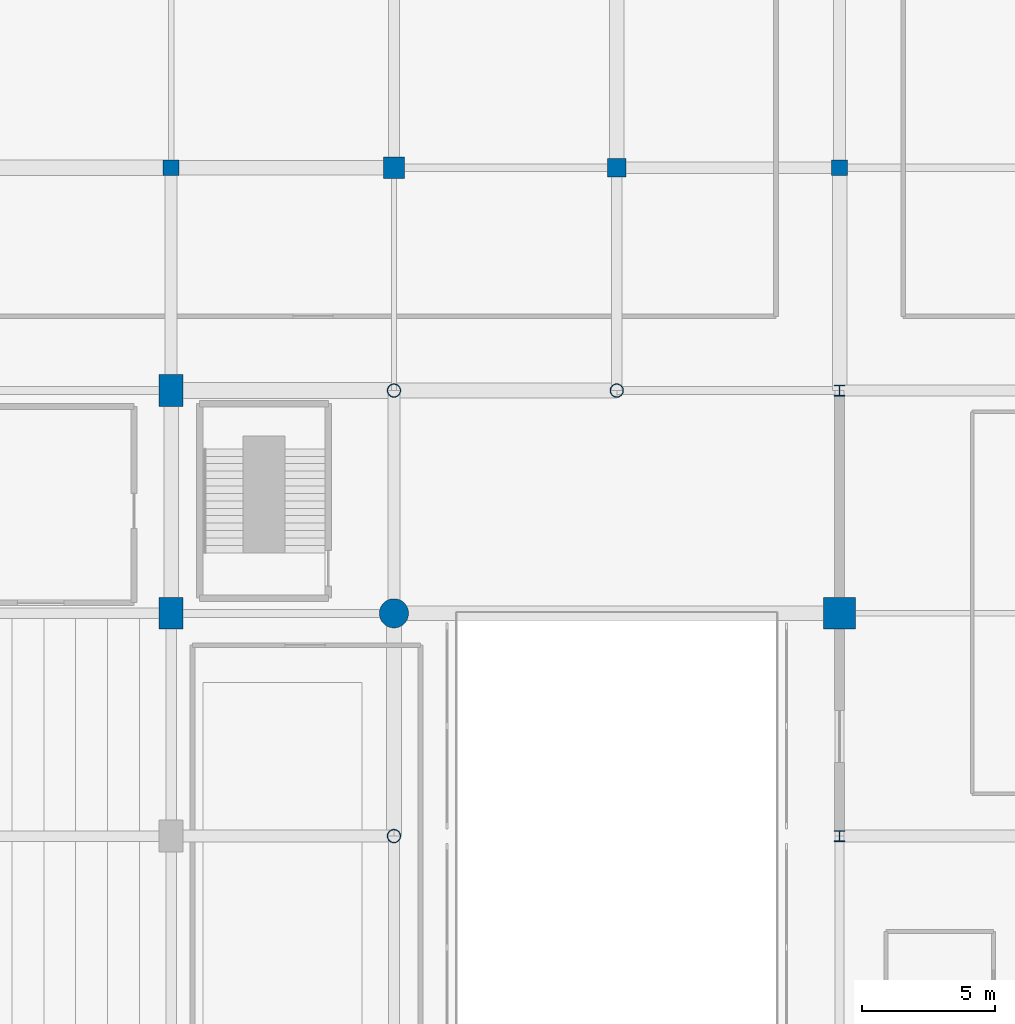
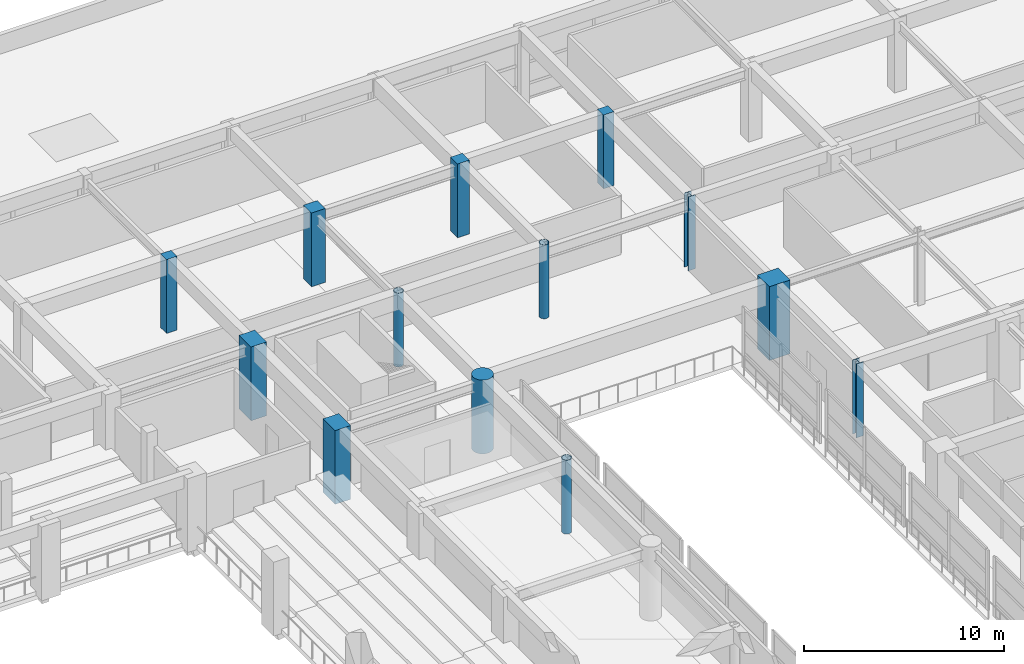
# One storey, part 4 of 60: 13 columns.
"""IFC4 building model written with IfcOpenShell, lengths in metres."""

from ifc_helpers import new_model, si_unit, direction, frame, origin, origin_2d, place, context, subcontext, project, spatial, rectangle, circle, hollow_circle, i_section, extrude, material, material_profile, profile_set, type_object, element, save


model = new_model("IFC4")

# Units and contexts
model_context = context("Model", 3, precision=1e-05, world=origin(), true_north=direction((0.0, 1.0)))
body_context = subcontext(model_context, "Body", "Model", "MODEL_VIEW")
ifc_project = project(units=[si_unit("LENGTHUNIT", "METRE"), si_unit("AREAUNIT", "SQUARE_METRE"), si_unit("VOLUMEUNIT", "CUBIC_METRE"), si_unit("PLANEANGLEUNIT", "RADIAN"), si_unit("MASSUNIT", "GRAM", prefix="KILO")], contexts=[model_context])

# Site, building, storey
site_placement = place(None, origin())
site = spatial("IfcSite", under=ifc_project, at=site_placement, CompositionType="ELEMENT")
building_placement = place(site_placement, origin())
building = spatial("IfcBuilding", under=site, at=building_placement, Name="Xuanlan Plaza Opera House", CompositionType="ELEMENT")
storey_placement = place(building_placement, frame((0.0, 0.0, 9.89990234375)))
storey = spatial("IfcBuildingStorey", under=building, at=storey_placement, Name="L02", CompositionType="ELEMENT", Elevation=9.89990234375)

# Columns
ifc_material_1 = material(Name="Concrete C60", Category="concrete")
ifc_material_profile_1 = material_profile(ifc_material_1, rectangle(XDim=1.199951171875, YDim=1.199951171875, at=origin_2d()), Name="RC-COL 1200x1200")
ifc_profile_set_1 = profile_set([ifc_material_profile_1], Name="Concrete C60")
column_type_1 = type_object("IfcColumnType", Name="STR-COL-C-02", PredefinedType="COLUMN", material=ifc_profile_set_1)
column_1_placement = place(storey_placement, frame((126.0, 75.60009765625, 0.0), z_axis=(0.0, 0.0, 1.0), x_axis=(1.0, 0.0, 0.0)))
element("IfcColumn", 1, at=column_1_placement, inside=storey, type_object=column_type_1, Name="Column L02 16-J", PredefinedType="COLUMN", context=body_context, shape_type="SweptSolid", body=[
    extrude(rectangle(XDim=1.199951171875, YDim=1.199951171875, at=origin_2d()), origin(), (0.0, 0.0, 1.0), 4.5),
])
ifc_material_2 = material(Name="Concrete C40", Category="concrete")
ifc_material_profile_2 = material_profile(ifc_material_2, rectangle(XDim=0.800048828125, YDim=0.800048828125, at=origin_2d()), Name="RC-COL 800x800")
ifc_profile_set_2 = profile_set([ifc_material_profile_2], Name="Concrete C40")
column_type_2 = type_object("IfcColumnType", Name="STR-COL-C-06", PredefinedType="COLUMN", material=ifc_profile_set_2)
column_2_placement = place(storey_placement, frame((109.199951171875, 92.39990234375, 0.0), z_axis=(0.0, 0.0, 1.0), x_axis=(1.0, 0.0, 0.0)))
element("IfcColumn", 2, at=column_2_placement, inside=storey, type_object=column_type_2, Name="Column L02 14-L", PredefinedType="COLUMN", context=body_context, shape_type="SweptSolid", body=[
    extrude(rectangle(XDim=0.800048828125, YDim=0.800048828125, at=origin_2d()), origin(), (0.0, 0.0, 1.0), 4.5),
])
ifc_material_profile_3 = material_profile(ifc_material_2, rectangle(XDim=0.699951171875, YDim=0.699951171875, at=origin_2d()), Name="RC-COL 700x700")
ifc_profile_set_3 = profile_set([ifc_material_profile_3], Name="Concrete C40")
column_type_3 = type_object("IfcColumnType", Name="STR-COL-C-07", PredefinedType="COLUMN", material=ifc_profile_set_3)
column_3_placement = place(storey_placement, frame((117.60009765625, 92.39990234375, 0.0), z_axis=(0.0, 0.0, 1.0), x_axis=(1.0, 0.0, 0.0)))
element("IfcColumn", 3, at=column_3_placement, inside=storey, type_object=column_type_3, Name="Column L02 15-L", PredefinedType="COLUMN", context=body_context, shape_type="SweptSolid", body=[
    extrude(rectangle(XDim=0.699951171875, YDim=0.699951171875, at=origin_2d()), origin(), (0.0, 0.0, 1.0), 4.5),
])
ifc_material_profile_4 = material_profile(ifc_material_2, rectangle(XDim=0.60009765625, YDim=0.60009765625, at=origin_2d()), Name="RC-COL 600x600")
ifc_profile_set_4 = profile_set([ifc_material_profile_4], Name="Concrete C40")
column_type_4 = type_object("IfcColumnType", Name="STR-COL-C-08", PredefinedType="COLUMN", material=ifc_profile_set_4)
for number, where, z_axis, x_axis, name in (
    (4, (100.800048828125, 92.39990234375, 0.0), (0.0, 0.0, 1.0), (1.0, 0.0, 0.0), "Column L02 13-L"),
    (5, (126.0, 92.39990234375, 0.0), (0.0, 0.0, 1.0), (1.0, 0.0, 0.0), "Column L02 16-L"),
):
    element("IfcColumn", number, at=place(storey_placement, frame(where, z_axis=z_axis, x_axis=x_axis)), inside=storey, type_object=column_type_4, Name=name, PredefinedType="COLUMN", context=body_context, shape_type="SweptSolid", body=[
        extrude(rectangle(XDim=0.60009765625, YDim=0.60009765625, at=origin_2d()), origin(), (0.0, 0.0, 1.0), 4.5),
    ])
ifc_material_3 = material(Name="Concrete C50", Category="concrete")
ifc_material_profile_5 = material_profile(ifc_material_3, rectangle(XDim=0.89990234375, YDim=1.199951171875, at=origin_2d()), Name="RC-COL 900x1200")
ifc_profile_set_5 = profile_set([ifc_material_profile_5], Name="Concrete C50")
column_type_5 = type_object("IfcColumnType", Name="STR-COL-C-10", PredefinedType="COLUMN", material=ifc_profile_set_5)
for number, where, z_axis, x_axis, name in (
    (6, (100.800048828125, 75.60009765625, 0.0), (0.0, 0.0, 1.0), (1.0, 0.0, 0.0), "Column L02 13-J"),
    (7, (100.800048828125, 84.0, 0.0), (0.0, 0.0, 1.0), (1.0, 0.0, 0.0), "Column L02 13-K"),
):
    element("IfcColumn", number, at=place(storey_placement, frame(where, z_axis=z_axis, x_axis=x_axis)), inside=storey, type_object=column_type_5, Name=name, PredefinedType="COLUMN", context=body_context, shape_type="SweptSolid", body=[
        extrude(rectangle(XDim=0.89990234375, YDim=1.199951171875, at=origin_2d()), origin(), (0.0, 0.0, 1.0), 4.5),
    ])
ifc_material_profile_6 = material_profile(ifc_material_3, circle(Radius=0.550048828125, at=origin_2d()), Name="RC-COL D1100")
ifc_profile_set_6 = profile_set([ifc_material_profile_6], Name="Concrete C50")
column_type_6 = type_object("IfcColumnType", Name="STR-COL-C-11", PredefinedType="COLUMN", material=ifc_profile_set_6)
column_4_placement = place(storey_placement, frame((109.199951171875, 75.60009765625, 0.0), z_axis=(0.0, 0.0, 1.0), x_axis=(1.0, 0.0, 0.0)))
element("IfcColumn", 8, at=column_4_placement, inside=storey, type_object=column_type_6, Name="Column L02 14-J", PredefinedType="COLUMN", context=body_context, shape_type="SweptSolid", body=[
    extrude(circle(Radius=0.550048828125, at=origin_2d()), origin(), (0.0, 0.0, 1.0), 4.5),
])
ifc_material_4 = material(Name="Steel Q390B", Category="steel")
ifc_material_profile_7 = material_profile(ifc_material_4, i_section(OverallWidth=0.405029296875, OverallDepth=0.4140625, WebThickness=0.01806640625, FlangeThickness=0.028076171875, FilletRadius=0.02197265625, at=origin_2d()), Name="HW 414x405x18x28")
ifc_profile_set_7 = profile_set([ifc_material_profile_7], Name="Steel Q390B")
column_type_7 = type_object("IfcColumnType", Name="STR-COL-C-13", PredefinedType="COLUMN", material=ifc_profile_set_7)
for number, where, z_axis, x_axis, name in (
    (9, (126.0, 67.199951171875, 0.0), (0.0, 0.0, 1.0), (1.0, 0.0, 0.0), "Column L02 16-I"),
    (10, (126.0, 84.0, 0.0), (0.0, 0.0, 1.0), (1.0, 0.0, 0.0), "Column L02 16-K"),
):
    element("IfcColumn", number, at=place(storey_placement, frame(where, z_axis=z_axis, x_axis=x_axis)), inside=storey, type_object=column_type_7, Name=name, PredefinedType="COLUMN", context=body_context, shape_type="SweptSolid", body=[
        extrude(i_section(OverallWidth=0.405029296875, OverallDepth=0.4140625, WebThickness=0.01806640625, FlangeThickness=0.028076171875, FilletRadius=0.02197265625, at=origin_2d()), origin(), (0.0, 0.0, 1.0), 4.5),
    ])
ifc_material_5 = material(Name="Steel Q355B", Category="steel")
ifc_material_profile_8 = material_profile(ifc_material_5, hollow_circle(Radius=0.25390625, WallThickness=0.02001953125, at=origin_2d()), Name="CHS 508x20")
ifc_profile_set_8 = profile_set([ifc_material_profile_8], Name="Steel Q355B")
column_type_8 = type_object("IfcColumnType", Name="STR-COL-C-16", PredefinedType="COLUMN", material=ifc_profile_set_8)
for number, where, z_axis, x_axis, name in (
    (11, (109.199951171875, 67.199951171875, 0.0), (0.0, 0.0, 1.0), (1.0, 0.0, 0.0), "Column L02 14-I"),
    (12, (109.199951171875, 84.0, 0.0), (0.0, 0.0, 1.0), (1.0, 0.0, 0.0), "Column L02 14-K"),
    (13, (117.60009765625, 84.0, 0.0), (0.0, 0.0, 1.0), (1.0, 0.0, 0.0), "Column L02 15-K"),
):
    element("IfcColumn", number, at=place(storey_placement, frame(where, z_axis=z_axis, x_axis=x_axis)), inside=storey, type_object=column_type_8, Name=name, PredefinedType="COLUMN", context=body_context, shape_type="SweptSolid", body=[
        extrude(hollow_circle(Radius=0.25390625, WallThickness=0.02001953125, at=origin_2d()), origin(), (0.0, 0.0, 1.0), 4.5),
    ])

save(model, "model.ifc")
